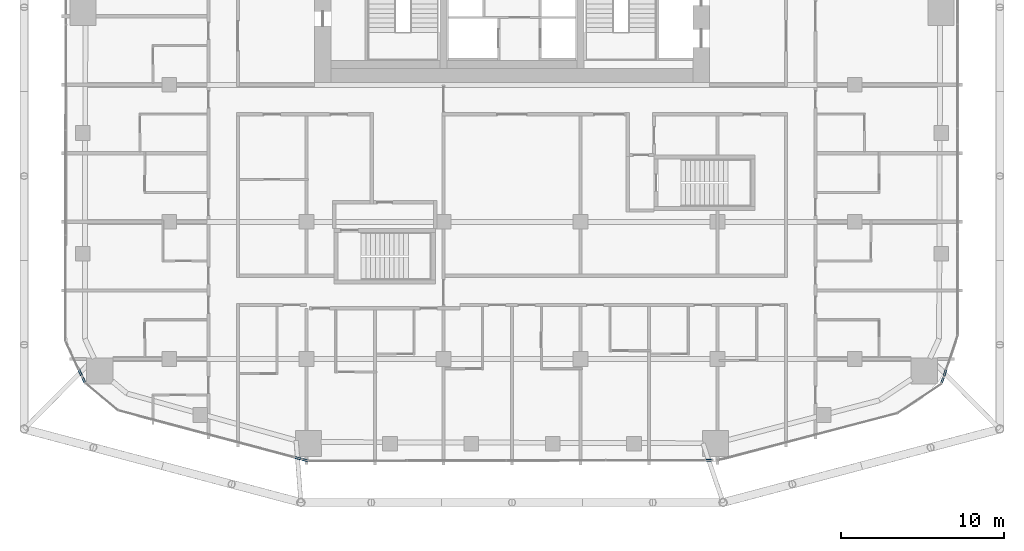
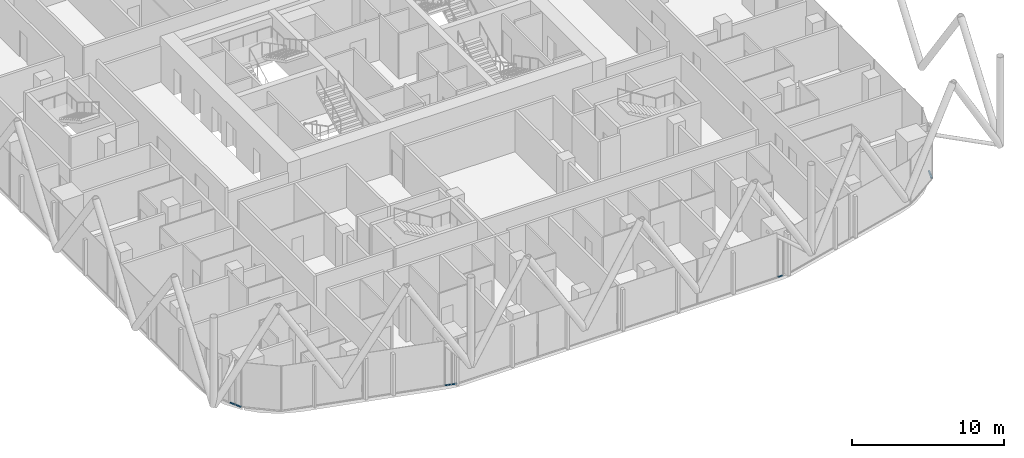
# One storey, part 15 of 33: 7 members, 7 elements without a shape of their own.
"""IFC4 building model written with IfcOpenShell, lengths in metres."""

from ifc_helpers import new_model, si_unit, direction, frame, origin, origin_2d, place, context, subcontext, project, spatial, rectangle, extrude, material, layer, layer_set, material_profile, profile_set, type_object, element, aggregate, save


model = new_model("IFC4")

# Units and contexts
model_context = context("Model", 3, precision=1e-05, world=origin(), true_north=direction((0.0, 1.0)))
body_context = subcontext(model_context, "Body", "Model", "MODEL_VIEW")
ifc_project = project(units=[si_unit("LENGTHUNIT", "METRE"), si_unit("AREAUNIT", "SQUARE_METRE"), si_unit("VOLUMEUNIT", "CUBIC_METRE"), si_unit("PLANEANGLEUNIT", "RADIAN"), si_unit("MASSUNIT", "GRAM", prefix="KILO")], contexts=[model_context])

# Site, building, storey
site_placement = place(None, origin())
site = spatial("IfcSite", under=ifc_project, at=site_placement, CompositionType="ELEMENT")
building_placement = place(site_placement, origin())
building = spatial("IfcBuilding", under=site, at=building_placement, Name="Marenta Gate Hotel Tower", CompositionType="ELEMENT")
storey_placement = place(building_placement, frame((0.0, 0.0, 108.5)))
storey = spatial("IfcBuildingStorey", under=building, at=storey_placement, Name="L23", CompositionType="ELEMENT", Elevation=108.5)

# Curtain wall, member
ifc_material_1 = material(Name="Tinted insulated glass in bronze anodised frame", Category="glass")
ifc_layer = layer(ifc_material_1, 0.1201171875)
ifc_layer_set = layer_set([ifc_layer], Name="Tinted insulated glass in bronze anodised frame")
curtain_wall_type = type_object("IfcCurtainWallType", Name="Tower unitised curtain wall CW1", PredefinedType="NOTDEFINED", material=ifc_layer_set)
curtain_wall_1_placement = place(storey_placement, origin())
curtain_wall_1 = element("IfcCurtainWall", 1, at=curtain_wall_1_placement, inside=storey, type_object=curtain_wall_type, Name="CW1 run G06", PredefinedType="NOTDEFINED")
ifc_material_2 = material(Name="Bronze anodised aluminium", Category="aluminium")
ifc_material_profile = material_profile(ifc_material_2, rectangle(XDim=0.1201171875, YDim=0.06005859375, at=origin_2d()), Name="Transom CW1 60x120 bronze anodised aluminium")
ifc_profile_set = profile_set([ifc_material_profile], Name="Bronze anodised aluminium")
member_type = type_object("IfcMemberType", Name="Transom CW1 60x120 bronze anodised aluminium", PredefinedType="USERDEFINED", material=ifc_profile_set)
member_1_placement = place(storey_placement, frame((-26.544189453125, -17.4677734375, 0.030029296875), z_axis=(0.423960267339, -0.905680789085, 0.0), x_axis=(0.905680789085, 0.423960267339, 0.0)))
member_1 = element("IfcMember", 2, at=member_1_placement, type_object=member_type, Name="CW1 transom 1.1", ObjectType="TRANSOM", PredefinedType="USERDEFINED", context=body_context, shape_type="SweptSolid", body=[
    extrude(rectangle(XDim=0.1201171875, YDim=0.06005859375, at=origin_2d()), origin(), (0.0, 0.0, 1.0), 0.422607421875),
])
aggregate(curtain_wall_1, [member_1])

curtain_wall_2_placement = place(storey_placement, origin())
curtain_wall_2 = element("IfcCurtainWall", 3, at=curtain_wall_2_placement, inside=storey, type_object=curtain_wall_type, Name="CW1 run G07", PredefinedType="NOTDEFINED")
member_2_placement = place(storey_placement, frame((-26.339599609375, -17.905029296875, 0.030029296875), z_axis=(0.42295417161, -0.906151073893, 0.0), x_axis=(0.906151073893, 0.42295417161, 0.0)))
member_2 = element("IfcMember", 4, at=member_2_placement, type_object=member_type, Name="CW1 transom 1.1", ObjectType="TRANSOM", PredefinedType="USERDEFINED", context=body_context, shape_type="SweptSolid", body=[
    extrude(rectangle(XDim=0.1201171875, YDim=0.06005859375, at=origin_2d()), origin(), (0.0, 0.0, 1.0), 0.38916015625),
])
aggregate(curtain_wall_2, [member_2])

curtain_wall_3_placement = place(storey_placement, origin())
curtain_wall_3 = element("IfcCurtainWall", 5, at=curtain_wall_3_placement, inside=storey, type_object=curtain_wall_type, Name="CW1 run G10", PredefinedType="NOTDEFINED")
member_3_placement = place(storey_placement, frame((-13.3193359375, -22.8310546875, 0.030029296875), z_axis=(0.966369996674, -0.257155652336, 0.0), x_axis=(0.257155652336, 0.966369996674, 0.0)))
member_3 = element("IfcMember", 6, at=member_3_placement, type_object=member_type, Name="CW1 transom 1.1", ObjectType="TRANSOM", PredefinedType="USERDEFINED", context=body_context, shape_type="SweptSolid", body=[
    extrude(rectangle(XDim=0.1201171875, YDim=0.06005859375, at=origin_2d()), origin(), (0.0, 0.0, 1.0), 0.419677734375),
])
aggregate(curtain_wall_3, [member_3])

curtain_wall_4_placement = place(storey_placement, origin())
curtain_wall_4 = element("IfcCurtainWall", 7, at=curtain_wall_4_placement, inside=storey, type_object=curtain_wall_type, Name="CW1 run G11", PredefinedType="NOTDEFINED")
member_4_placement = place(storey_placement, frame((-12.855712890625, -22.954345703125, 0.030029296875), z_axis=(0.96625731902, -0.257578713095, 0.0), x_axis=(0.257578713095, 0.96625731902, 0.0)))
member_4 = element("IfcMember", 8, at=member_4_placement, type_object=member_type, Name="CW1 transom 1.1", ObjectType="TRANSOM", PredefinedType="USERDEFINED", context=body_context, shape_type="SweptSolid", body=[
    extrude(rectangle(XDim=0.1201171875, YDim=0.06005859375, at=origin_2d()), origin(), (0.0, 0.0, 1.0), 0.362060546875),
])
aggregate(curtain_wall_4, [member_4])

curtain_wall_5_placement = place(storey_placement, origin())
curtain_wall_5 = element("IfcCurtainWall", 9, at=curtain_wall_5_placement, inside=storey, type_object=curtain_wall_type, Name="CW1 run G13", PredefinedType="NOTDEFINED")
member_5_placement = place(storey_placement, frame((11.881591796875, -23.01416015625, 0.030029296875), z_axis=(0.999999071937, 0.001362396556, 0.0), x_axis=(-0.001362396556, 0.999999071937, 0.0)))
member_5 = element("IfcMember", 10, at=member_5_placement, type_object=member_type, Name="CW1 transom 1.1", ObjectType="TRANSOM", PredefinedType="USERDEFINED", context=body_context, shape_type="SweptSolid", body=[
    extrude(rectangle(XDim=0.1201171875, YDim=0.06005859375, at=origin_2d()), origin(), (0.0, 0.0, 1.0), 0.3583984375),
])
aggregate(curtain_wall_5, [member_5])

curtain_wall_6_placement = place(storey_placement, origin())
curtain_wall_6 = element("IfcCurtainWall", 11, at=curtain_wall_6_placement, inside=storey, type_object=curtain_wall_type, Name="CW1 run G16", PredefinedType="NOTDEFINED")
member_6_placement = place(storey_placement, frame((26.32421875, -18.27783203125, 0.030029296875), z_axis=(0.322187955567, 0.946675721294, 0.0), x_axis=(-0.946675721294, 0.322187955567, 0.0)))
member_6 = element("IfcMember", 12, at=member_6_placement, type_object=member_type, Name="CW1 transom 1.1", ObjectType="TRANSOM", PredefinedType="USERDEFINED", context=body_context, shape_type="SweptSolid", body=[
    extrude(rectangle(XDim=0.1201171875, YDim=0.06005859375, at=origin_2d()), origin(), (0.0, 0.0, 1.0), 0.3681640625),
])
aggregate(curtain_wall_6, [member_6])

curtain_wall_7_placement = place(storey_placement, origin())
curtain_wall_7 = element("IfcCurtainWall", 13, at=curtain_wall_7_placement, inside=storey, type_object=curtain_wall_type, Name="CW1 run G17", PredefinedType="NOTDEFINED")
member_7_placement = place(storey_placement, frame((26.462158203125, -17.872314453125, 0.030029296875), z_axis=(0.321804616278, 0.946806098915, 0.0), x_axis=(-0.946806098915, 0.321804616278, 0.0)))
member_7 = element("IfcMember", 14, at=member_7_placement, type_object=member_type, Name="CW1 transom 1.1", ObjectType="TRANSOM", PredefinedType="USERDEFINED", context=body_context, shape_type="SweptSolid", body=[
    extrude(rectangle(XDim=0.1201171875, YDim=0.06005859375, at=origin_2d()), origin(), (0.0, 0.0, 1.0), 0.446044921875),
])
aggregate(curtain_wall_7, [member_7])

save(model, "model.ifc")
